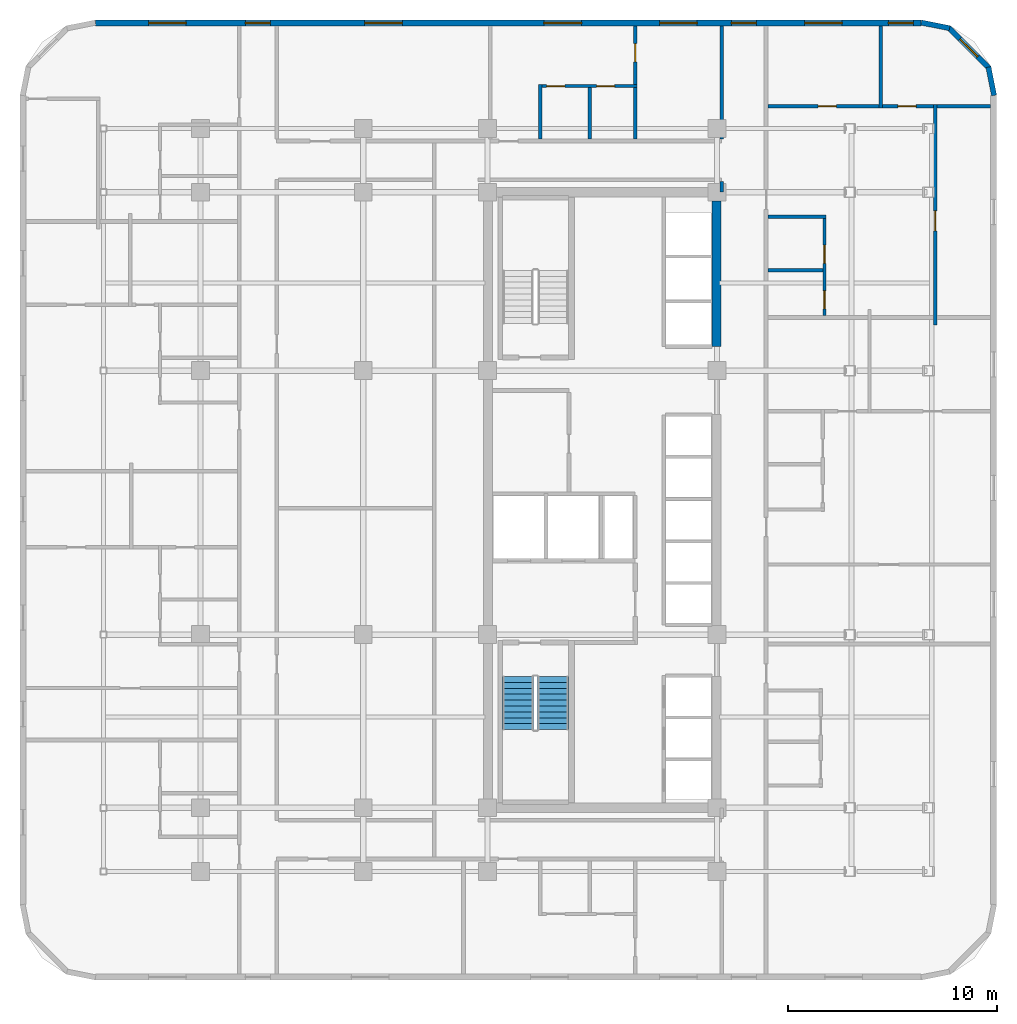
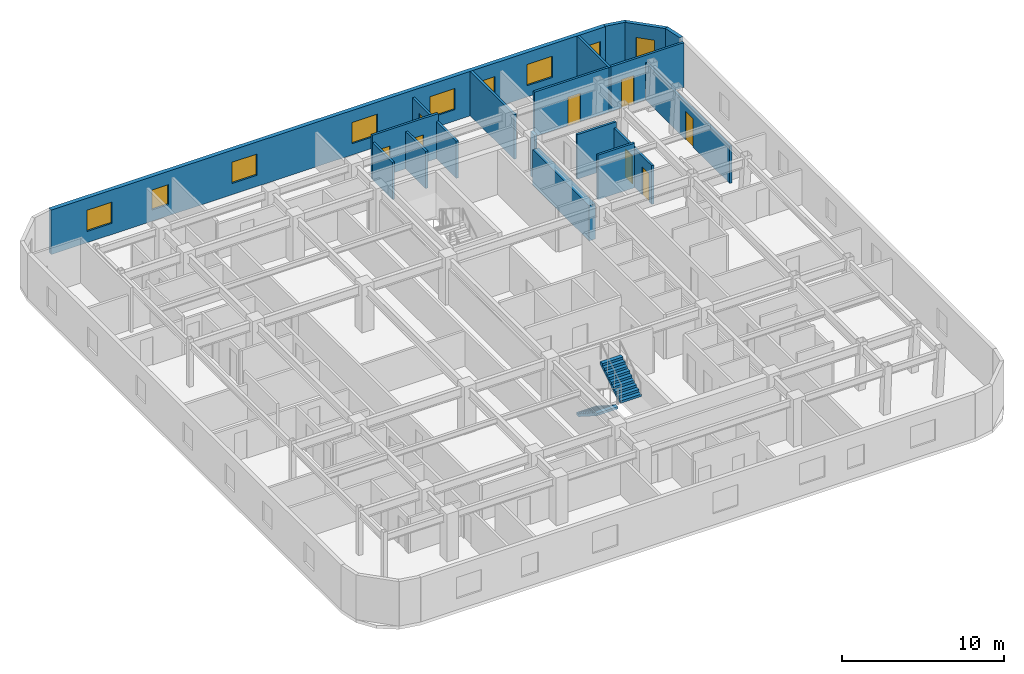
# One storey, part 10 of 12: 17 walls, 9 windows, 8 doors, 2 stair flights, 17 openings, 1 element without a shape of its own.
"""IFC4 building model written with IfcOpenShell, lengths in metres."""

from ifc_helpers import new_model, si_unit, direction, frame, frame_2d, origin, place, context, subcontext, project, spatial, polyline, rectangle, outline, extrude, material, layer, layer_set, type_object, element, fill, aggregate, save


model = new_model("IFC4")

# Units and contexts
model_context = context("Model", 3, precision=1e-05, world=origin(), true_north=direction((0.0, 1.0)))
body_context = subcontext(model_context, "Body", "Model", "MODEL_VIEW")
ifc_project = project(units=[si_unit("LENGTHUNIT", "METRE"), si_unit("AREAUNIT", "SQUARE_METRE"), si_unit("VOLUMEUNIT", "CUBIC_METRE"), si_unit("PLANEANGLEUNIT", "RADIAN"), si_unit("MASSUNIT", "GRAM", prefix="KILO")], contexts=[model_context])

# Site, building, storey
site_placement = place(None, origin())
site = spatial("IfcSite", under=ifc_project, at=site_placement, CompositionType="ELEMENT")
building_placement = place(site_placement, origin())
building = spatial("IfcBuilding", under=site, at=building_placement, Name="Ochreholt Gables", CompositionType="ELEMENT")
storey_placement = place(building_placement, frame((0.0, 0.0, 45.60009765625)))
storey = spatial("IfcBuildingStorey", under=building, at=storey_placement, Name="L11", CompositionType="ELEMENT", Elevation=45.60009765625)

# Wall
ifc_material_1 = material(Name="Concrete 60 MPa", Category="concrete")
ifc_layer_1 = layer(ifc_material_1, 0.449951171875, Name="Concrete 60 MPa")
ifc_layer_set_1 = layer_set([ifc_layer_1], Name="Concrete 60 MPa")
wall_type_1 = type_object("IfcWallType", Name="WALL-CSW-450", PredefinedType="SHEAR", material=ifc_layer_set_1)
wall_1_placement = place(storey_placement, frame((35.175048828125, 31.35009765625, 0.0), z_axis=(0.0, 0.0, 1.0), x_axis=(0.0, 1.0, 0.0)))
element("IfcWall", 1, at=wall_1_placement, inside=storey, type_object=wall_type_1, Name="L11 Core North-East Shear Wall", PredefinedType="SHEAR", context=body_context, shape_type="SweptSolid", body=[
    extrude(rectangle(XDim=6.974853515625, YDim=0.449951171875, at=frame_2d((3.4873046875, 0.0))), origin(), (0.0, 0.0, 1.0), 2.6669921875),
])

# Wall, openings, windows
ifc_material_2 = material(Name="Precast concrete 40 MPa", Category="concrete")
ifc_layer_2 = layer(ifc_material_2, 0.2900390625, Name="Precast concrete 40 MPa")
ifc_layer_set_2 = layer_set([ifc_layer_2], Name="Precast concrete 40 MPa")
wall_type_2 = type_object("IfcWallType", Name="WALL-EXT-290", PredefinedType="SOLIDWALL", material=ifc_layer_set_2)
wall_2_placement = place(storey_placement, frame((44.97998046875, 46.85498046875, 0.0), z_axis=(0.0, 0.0, 1.0), x_axis=(-1.0, 0.0, 0.0)))
wall_2 = element("IfcWall", 2, at=wall_2_placement, inside=storey, type_object=wall_type_2, Name="L11 North Exterior Wall", PredefinedType="SOLIDWALL", context=body_context, shape_type="SweptSolid", body=[
    extrude(rectangle(XDim=39.56005859375, YDim=0.2900390625, at=frame_2d((19.780029296875, 0.0))), origin(), (0.0, 0.0, 1.0), 3.35986328125),
])
opening_1_placement = place(wall_2_placement, frame((35.219970703125, 0.0, 0.85009765625)))
opening_1 = element("IfcOpeningElement", 3, at=opening_1_placement, cuts=wall_2, Name="Opening WN-1", PredefinedType="OPENING", context=body_context, shape_type="SweptSolid", body=[
    extrude(rectangle(XDim=1.800048828125, YDim=1.60009765625, at=frame_2d((0.89990234375, 0.800048828125))), frame((0.0, 0.155029296875, 0.0), z_axis=(0.0, -1.0, 0.0), x_axis=(1.0, 0.0, 0.0)), (0.0, 0.0, 1.0), 0.31005859375),
])
opening_2_placement = place(wall_2_placement, frame((31.179931640625, 0.0, 0.85009765625)))
opening_2 = element("IfcOpeningElement", 4, at=opening_2_placement, cuts=wall_2, Name="Opening WN-3", PredefinedType="OPENING", context=body_context, shape_type="SweptSolid", body=[
    extrude(rectangle(XDim=1.199951171875, YDim=1.5, at=frame_2d((0.60009765625, 0.75))), frame((0.0, 0.155029296875, 0.0), z_axis=(0.0, -1.0, 0.0), x_axis=(1.0, 0.0, 0.0)), (0.0, 0.0, 1.0), 0.31005859375),
])
opening_3_placement = place(wall_2_placement, frame((24.86328125, 0.0, 0.85009765625)))
opening_3 = element("IfcOpeningElement", 5, at=opening_3_placement, cuts=wall_2, Name="Opening WN-1", PredefinedType="OPENING", context=body_context, shape_type="SweptSolid", body=[
    extrude(rectangle(XDim=1.800048828125, YDim=1.60009765625, at=frame_2d((0.89990234375, 0.800048828125))), frame((0.0, 0.155029296875, 0.0), z_axis=(0.0, -1.0, 0.0), x_axis=(1.0, 0.0, 0.0)), (0.0, 0.0, 1.0), 0.31005859375),
])
opening_4_placement = place(wall_2_placement, frame((16.273193359375, 0.0, 0.85009765625)))
opening_4 = element("IfcOpeningElement", 6, at=opening_4_placement, cuts=wall_2, Name="Opening WN-1", PredefinedType="OPENING", context=body_context, shape_type="SweptSolid", body=[
    extrude(rectangle(XDim=1.800048828125, YDim=1.60009765625, at=frame_2d((0.89990234375, 0.800048828125))), frame((0.0, 0.155029296875, 0.0), z_axis=(0.0, -1.0, 0.0), x_axis=(1.0, 0.0, 0.0)), (0.0, 0.0, 1.0), 0.31005859375),
])
opening_5_placement = place(wall_2_placement, frame((10.72998046875, 0.0, 0.85009765625)))
opening_5 = element("IfcOpeningElement", 7, at=opening_5_placement, cuts=wall_2, Name="Opening WN-1", PredefinedType="OPENING", context=body_context, shape_type="SweptSolid", body=[
    extrude(rectangle(XDim=1.800048828125, YDim=1.60009765625, at=frame_2d((0.89990234375, 0.800048828125))), frame((0.0, 0.155029296875, 0.0), z_axis=(0.0, -1.0, 0.0), x_axis=(1.0, 0.0, 0.0)), (0.0, 0.0, 1.0), 0.31005859375),
])
opening_6_placement = place(wall_2_placement, frame((7.89501953125, 0.0, 0.85009765625)))
opening_6 = element("IfcOpeningElement", 8, at=opening_6_placement, cuts=wall_2, Name="Opening WN-3", PredefinedType="OPENING", context=body_context, shape_type="SweptSolid", body=[
    extrude(rectangle(XDim=1.199951171875, YDim=1.5, at=frame_2d((0.60009765625, 0.75))), frame((0.0, 0.155029296875, 0.0), z_axis=(0.0, -1.0, 0.0), x_axis=(1.0, 0.0, 0.0)), (0.0, 0.0, 1.0), 0.31005859375),
])
opening_7_placement = place(wall_2_placement, frame((3.782470703125, 0.0, 0.85009765625)))
opening_7 = element("IfcOpeningElement", 9, at=opening_7_placement, cuts=wall_2, Name="Opening WN-1", PredefinedType="OPENING", context=body_context, shape_type="SweptSolid", body=[
    extrude(rectangle(XDim=1.800048828125, YDim=1.60009765625, at=frame_2d((0.89990234375, 0.800048828125))), frame((0.0, 0.155029296875, 0.0), z_axis=(0.0, -1.0, 0.0), x_axis=(1.0, 0.0, 0.0)), (0.0, 0.0, 1.0), 0.31005859375),
])
opening_8_placement = place(wall_2_placement, frame((0.367431640625, 0.0, 0.85009765625)))
opening_8 = element("IfcOpeningElement", 10, at=opening_8_placement, cuts=wall_2, Name="Opening WN-3", PredefinedType="OPENING", context=body_context, shape_type="SweptSolid", body=[
    extrude(rectangle(XDim=1.199951171875, YDim=1.5, at=frame_2d((0.60009765625, 0.75))), frame((0.0, 0.155029296875, 0.0), z_axis=(0.0, -1.0, 0.0), x_axis=(1.0, 0.0, 0.0)), (0.0, 0.0, 1.0), 0.31005859375),
])
ifc_material_3 = material(Name="Triple-Glazed Thermally Broken Aluminium Window", Category="aluminium")
window_type_1 = type_object("IfcWindowType", Name="WIN-RES-1200", PartitioningType="SINGLE_PANEL", PredefinedType="WINDOW", material=ifc_material_3)
window_1_placement = place(opening_2_placement, origin())
window_1 = element("IfcWindow", 11, at=window_1_placement, inside=storey, type_object=window_type_1, Name="L11 Window W-EXT-N-L11-2", OverallHeight=1.5, OverallWidth=1.199951171875, PartitioningType="SINGLE_PANEL", PredefinedType="WINDOW", context=body_context, shape_type="SweptSolid", body=[
    extrude(rectangle(XDim=1.199951171875, YDim=1.5, at=frame_2d((0.60009765625, 0.75))), frame((0.0, 0.030029296875, 0.0), z_axis=(0.0, -1.0, 0.0), x_axis=(1.0, 0.0, 0.0)), (0.0, 0.0, 1.0), 0.06005859375),
])
fill(opening_2, window_1)
window_2_placement = place(opening_6_placement, origin())
window_2 = element("IfcWindow", 12, at=window_2_placement, inside=storey, type_object=window_type_1, Name="L11 Window W-EXT-N-L11-6", OverallHeight=1.5, OverallWidth=1.199951171875, PartitioningType="SINGLE_PANEL", PredefinedType="WINDOW", context=body_context, shape_type="SweptSolid", body=[
    extrude(rectangle(XDim=1.199951171875, YDim=1.5, at=frame_2d((0.60009765625, 0.75))), frame((0.0, 0.030029296875, 0.0), z_axis=(0.0, -1.0, 0.0), x_axis=(1.0, 0.0, 0.0)), (0.0, 0.0, 1.0), 0.06005859375),
])
fill(opening_6, window_2)
window_3_placement = place(opening_8_placement, origin())
window_3 = element("IfcWindow", 13, at=window_3_placement, inside=storey, type_object=window_type_1, Name="L11 Window W-EXT-N-L11-8", OverallHeight=1.5, OverallWidth=1.199951171875, PartitioningType="SINGLE_PANEL", PredefinedType="WINDOW", context=body_context, shape_type="SweptSolid", body=[
    extrude(rectangle(XDim=1.199951171875, YDim=1.5, at=frame_2d((0.60009765625, 0.75))), frame((0.0, 0.030029296875, 0.0), z_axis=(0.0, -1.0, 0.0), x_axis=(1.0, 0.0, 0.0)), (0.0, 0.0, 1.0), 0.06005859375),
])
fill(opening_8, window_3)
window_type_2 = type_object("IfcWindowType", Name="WIN-RES-1800", PartitioningType="SINGLE_PANEL", PredefinedType="WINDOW", material=ifc_material_3)
window_4_placement = place(opening_1_placement, origin())
window_4 = element("IfcWindow", 14, at=window_4_placement, inside=storey, type_object=window_type_2, Name="L11 Window W-EXT-N-L11-1", OverallHeight=1.60009765625, OverallWidth=1.800048828125, PartitioningType="SINGLE_PANEL", PredefinedType="WINDOW", context=body_context, shape_type="SweptSolid", body=[
    extrude(rectangle(XDim=1.800048828125, YDim=1.60009765625, at=frame_2d((0.89990234375, 0.800048828125))), frame((0.0, 0.030029296875, 0.0), z_axis=(0.0, -1.0, 0.0), x_axis=(1.0, 0.0, 0.0)), (0.0, 0.0, 1.0), 0.06005859375),
])
fill(opening_1, window_4)
window_5_placement = place(opening_3_placement, origin())
window_5 = element("IfcWindow", 15, at=window_5_placement, inside=storey, type_object=window_type_2, Name="L11 Window W-EXT-N-L11-3", OverallHeight=1.60009765625, OverallWidth=1.800048828125, PartitioningType="SINGLE_PANEL", PredefinedType="WINDOW", context=body_context, shape_type="SweptSolid", body=[
    extrude(rectangle(XDim=1.800048828125, YDim=1.60009765625, at=frame_2d((0.89990234375, 0.800048828125))), frame((0.0, 0.030029296875, 0.0), z_axis=(0.0, -1.0, 0.0), x_axis=(1.0, 0.0, 0.0)), (0.0, 0.0, 1.0), 0.06005859375),
])
fill(opening_3, window_5)
window_6_placement = place(opening_4_placement, origin())
window_6 = element("IfcWindow", 16, at=window_6_placement, inside=storey, type_object=window_type_2, Name="L11 Window W-EXT-N-L11-4", OverallHeight=1.60009765625, OverallWidth=1.800048828125, PartitioningType="SINGLE_PANEL", PredefinedType="WINDOW", context=body_context, shape_type="SweptSolid", body=[
    extrude(rectangle(XDim=1.800048828125, YDim=1.60009765625, at=frame_2d((0.89990234375, 0.800048828125))), frame((0.0, 0.030029296875, 0.0), z_axis=(0.0, -1.0, 0.0), x_axis=(1.0, 0.0, 0.0)), (0.0, 0.0, 1.0), 0.06005859375),
])
fill(opening_4, window_6)
window_7_placement = place(opening_5_placement, origin())
window_7 = element("IfcWindow", 17, at=window_7_placement, inside=storey, type_object=window_type_2, Name="L11 Window W-EXT-N-L11-5", OverallHeight=1.60009765625, OverallWidth=1.800048828125, PartitioningType="SINGLE_PANEL", PredefinedType="WINDOW", context=body_context, shape_type="SweptSolid", body=[
    extrude(rectangle(XDim=1.800048828125, YDim=1.60009765625, at=frame_2d((0.89990234375, 0.800048828125))), frame((0.0, 0.030029296875, 0.0), z_axis=(0.0, -1.0, 0.0), x_axis=(1.0, 0.0, 0.0)), (0.0, 0.0, 1.0), 0.06005859375),
])
fill(opening_5, window_7)
window_8_placement = place(opening_7_placement, origin())
window_8 = element("IfcWindow", 18, at=window_8_placement, inside=storey, type_object=window_type_2, Name="L11 Window W-EXT-N-L11-7", OverallHeight=1.60009765625, OverallWidth=1.800048828125, PartitioningType="SINGLE_PANEL", PredefinedType="WINDOW", context=body_context, shape_type="SweptSolid", body=[
    extrude(rectangle(XDim=1.800048828125, YDim=1.60009765625, at=frame_2d((0.89990234375, 0.800048828125))), frame((0.0, 0.030029296875, 0.0), z_axis=(0.0, -1.0, 0.0), x_axis=(1.0, 0.0, 0.0)), (0.0, 0.0, 1.0), 0.06005859375),
])
fill(opening_7, window_8)

# Wall
ifc_layer_3 = layer(ifc_material_2, 0.25, Name="Precast concrete 40 MPa")
ifc_layer_set_3 = layer_set([ifc_layer_3], Name="Precast concrete 40 MPa")
wall_type_3 = type_object("IfcWallType", Name="WALL-EXT-CNR", PredefinedType="SOLIDWALL", material=ifc_layer_set_3)
wall_3_placement = place(storey_placement, frame((48.475830078125, 43.383544921875, 0.0), z_axis=(0.0, 0.0, 1.0), x_axis=(-0.19496651342, 0.980809899341, 0.0)))
element("IfcWall", 19, at=wall_3_placement, inside=storey, type_object=wall_type_3, Name="L11 Rounded Corner Wall NE-1", PredefinedType="SOLIDWALL", context=body_context, shape_type="SweptSolid", body=[
    extrude(rectangle(XDim=1.388671875, YDim=0.25, at=frame_2d((0.6943359375, 0.0))), origin(), (0.0, 0.0, 1.0), 3.35986328125),
])

# Wall, opening, window
wall_4_placement = place(storey_placement, frame((48.23193359375, 44.695068359375, 0.0), z_axis=(0.0, 0.0, 1.0), x_axis=(-0.707106781187, 0.707106781187, 0.0)))
wall_4 = element("IfcWall", 20, at=wall_4_placement, inside=storey, type_object=wall_type_3, Name="L11 Rounded Corner Wall NE-2", PredefinedType="SOLIDWALL", context=body_context, shape_type="SweptSolid", body=[
    extrude(rectangle(XDim=2.7392578125, YDim=0.25, at=frame_2d((1.36962890625, 0.0))), origin(), (0.0, 0.0, 1.0), 3.35986328125),
])
opening_9_placement = place(wall_4_placement, frame((0.769775390625, 0.0, 0.85009765625)))
opening_9 = element("IfcOpeningElement", 21, at=opening_9_placement, cuts=wall_4, Name="Opening WN-3", PredefinedType="OPENING", context=body_context, shape_type="SweptSolid", body=[
    extrude(rectangle(XDim=1.199951171875, YDim=1.5, at=frame_2d((0.60009765625, 0.75))), frame((0.0, 0.135009765625, 0.0), z_axis=(0.0, -1.0, 0.0), x_axis=(1.0, 0.0, 0.0)), (0.0, 0.0, 1.0), 0.27001953125),
])
window_9_placement = place(opening_9_placement, origin())
window_9 = element("IfcWindow", 22, at=window_9_placement, inside=storey, type_object=window_type_1, Name="L11 Corner Bedroom Window NE", OverallHeight=1.5, OverallWidth=1.199951171875, PartitioningType="SINGLE_PANEL", PredefinedType="WINDOW", context=body_context, shape_type="SweptSolid", body=[
    extrude(rectangle(XDim=1.199951171875, YDim=1.5, at=frame_2d((0.60009765625, 0.75))), frame((0.0, 0.030029296875, 0.0), z_axis=(0.0, -1.0, 0.0), x_axis=(1.0, 0.0, 0.0)), (0.0, 0.0, 1.0), 0.06005859375),
])
fill(opening_9, window_9)

# Walls
wall_5_placement = place(storey_placement, frame((46.345458984375, 46.60498046875, 0.0), z_axis=(0.0, 0.0, 1.0), x_axis=(-0.980809899341, 0.19496651342, 0.0)))
element("IfcWall", 23, at=wall_5_placement, inside=storey, type_object=wall_type_3, Name="L11 Rounded Corner Wall NE-3", PredefinedType="SOLIDWALL", context=body_context, shape_type="SweptSolid", body=[
    extrude(rectangle(XDim=1.388671875, YDim=0.25, at=frame_2d((0.6943359375, 0.0))), origin(), (0.0, 0.0, 1.0), 3.35986328125),
])
ifc_material_4 = material(Name="Fire-Rated Gypsum Acoustic Partition", Category="gypsum")
ifc_layer_4 = layer(ifc_material_4, 0.179931640625, Name="Fire-Rated Gypsum Acoustic Partition")
ifc_layer_set_4 = layer_set([ifc_layer_4], Name="Fire-Rated Gypsum Acoustic Partition")
wall_type_4 = type_object("IfcWallType", Name="WALL-INT-CR180", PredefinedType="STANDARD", material=ifc_layer_set_4)
wall_6_placement = place(storey_placement, frame((35.419921875, 38.75, 0.0), z_axis=(0.0, 0.0, 1.0), x_axis=(0.0, 1.0, 0.0)))
element("IfcWall", 24, at=wall_6_placement, inside=storey, type_object=wall_type_4, Name="L11 Interior Wall WI-C1ENW2-L11", PredefinedType="STANDARD", context=body_context, shape_type="SweptSolid", body=[
    extrude(rectangle(XDim=0.510009765625, YDim=0.179931640625, at=frame_2d((0.2548828125, 0.0))), origin(), (0.0, 0.0, 1.0), 3.35986328125),
])
ifc_material_5 = material(Name="Double-Stud Acoustic Demising Wall", Category="gypsum")
ifc_layer_5 = layer(ifc_material_5, 0.179931640625, Name="Double-Stud Acoustic Demising Wall")
ifc_layer_set_5 = layer_set([ifc_layer_5], Name="Double-Stud Acoustic Demising Wall")
wall_type_5 = type_object("IfcWallType", Name="WALL-INT-DM180", PredefinedType="PARTITIONING", material=ifc_layer_set_5)
wall_7_placement = place(storey_placement, frame((35.419921875, 41.2900390625, 0.0), z_axis=(0.0, 0.0, 1.0), x_axis=(0.0, 1.0, 0.0)))
element("IfcWall", 25, at=wall_7_placement, inside=storey, type_object=wall_type_5, Name="L11 Interior Wall WI-C1ENW-L11", PredefinedType="PARTITIONING", context=body_context, shape_type="SweptSolid", body=[
    extrude(rectangle(XDim=5.419921875, YDim=0.179931640625, at=frame_2d((2.7099609375, 0.0))), origin(), (0.0, 0.0, 1.0), 3.35986328125),
])
ifc_material_6 = material(Name="Moisture-Resistant Plumbing Chase Wall", Category="gypsum")
ifc_layer_6 = layer(ifc_material_6, 0.159912109375, Name="Moisture-Resistant Plumbing Chase Wall")
ifc_layer_set_6 = layer_set([ifc_layer_6], Name="Moisture-Resistant Plumbing Chase Wall")
wall_type_6 = type_object("IfcWallType", Name="WALL-INT-PL160", PredefinedType="PLUMBINGWALL", material=ifc_layer_set_6)
wall_8_placement = place(storey_placement, frame((37.639892578125, 37.5654296875, 0.0), z_axis=(0.0, 0.0, 1.0), x_axis=(1.0, 0.0, 0.0)))
element("IfcWall", 26, at=wall_8_placement, inside=storey, type_object=wall_type_6, Name="L11 Interior Wall WU-L11E3-FYN", PredefinedType="PLUMBINGWALL", context=body_context, shape_type="SweptSolid", body=[
    extrude(rectangle(XDim=2.7880859375, YDim=0.159912109375, at=frame_2d((1.39404296875, 0.0))), origin(), (0.0, 0.0, 1.0), 3.35986328125),
])

# Wall, openings, doors
wall_9_placement = place(storey_placement, frame((40.347900390625, 32.830078125, 0.0), z_axis=(0.0, 0.0, 1.0), x_axis=(0.0, 1.0, 0.0)))
wall_9 = element("IfcWall", 27, at=wall_9_placement, inside=storey, type_object=wall_type_6, Name="L11 Interior Wall WU-L11E3-WX", PredefinedType="PLUMBINGWALL", context=body_context, shape_type="SweptSolid", body=[
    extrude(rectangle(XDim=4.825439453125, YDim=0.159912109375, at=frame_2d((2.41259765625, 0.0))), origin(), (0.0, 0.0, 1.0), 2.931884765625),
])
opening_10_placement = place(wall_9_placement, frame((0.330078125, 0.0, 0.0)))
opening_10 = element("IfcOpeningElement", 28, at=opening_10_placement, cuts=wall_9, Name="Opening D-BT1", PredefinedType="OPENING", context=body_context, shape_type="SweptSolid", body=[
    extrude(rectangle(XDim=0.860107421875, YDim=2.1201171875, at=frame_2d((0.43017578125, 1.06005859375))), frame((0.0, 0.08984375, 0.0), z_axis=(0.0, -1.0, 0.0), x_axis=(1.0, 0.0, 0.0)), (0.0, 0.0, 1.0), 0.179931640625),
])
opening_11_placement = place(wall_9_placement, frame((2.50830078125, 0.0, 0.0)))
opening_11 = element("IfcOpeningElement", 29, at=opening_11_placement, cuts=wall_9, Name="Opening D-GN2", PredefinedType="OPENING", context=body_context, shape_type="SweptSolid", body=[
    extrude(rectangle(XDim=0.8798828125, YDim=2.1201171875, at=frame_2d((0.43994140625, 1.06005859375))), frame((0.0, 0.08984375, 0.0), z_axis=(0.0, -1.0, 0.0), x_axis=(1.0, 0.0, 0.0)), (0.0, 0.0, 1.0), 0.179931640625),
])
ifc_material_7 = material(Name="Engineered Oak Timber", Category="wood")
door_type_1 = type_object("IfcDoorType", Name="DR-INT-BTH860", OperationType="NOTDEFINED", PredefinedType="DOOR", material=ifc_material_7)
door_1_placement = place(opening_10_placement, origin())
door_1 = element("IfcDoor", 30, at=door_1_placement, inside=storey, type_object=door_type_1, Name="L11 Door D-U-L11E3-BTH", OperationType="SINGLE_SWING_LEFT", OverallHeight=2.1201171875, OverallWidth=0.860107421875, PredefinedType="DOOR", context=body_context, shape_type="SweptSolid", body=[
    extrude(rectangle(XDim=0.860107421875, YDim=2.1201171875, at=frame_2d((0.43017578125, 1.06005859375))), frame((0.0, 0.02490234375, 0.0), z_axis=(0.0, -1.0, 0.0), x_axis=(1.0, 0.0, 0.0)), (0.0, 0.0, 1.0), 0.050048828125),
])
fill(opening_10, door_1)
door_type_2 = type_object("IfcDoorType", Name="DR-INT-GEN880", OperationType="NOTDEFINED", PredefinedType="DOOR", material=ifc_material_7)
door_2_placement = place(opening_11_placement, origin())
door_2 = element("IfcDoor", 31, at=door_2_placement, inside=storey, type_object=door_type_2, Name="L11 Door D-U-L11E3-KIT", OperationType="SINGLE_SWING_RIGHT", OverallHeight=2.1201171875, OverallWidth=0.8798828125, PredefinedType="DOOR", context=body_context, shape_type="SweptSolid", body=[
    extrude(rectangle(XDim=0.8798828125, YDim=2.1201171875, at=frame_2d((0.43994140625, 1.06005859375))), frame((0.0, 0.02490234375, 0.0), z_axis=(0.0, -1.0, 0.0), x_axis=(1.0, 0.0, 0.0)), (0.0, 0.0, 1.0), 0.050048828125),
])
fill(opening_11, door_2)

# Wall
wall_10_placement = place(storey_placement, frame((37.639892578125, 35.00830078125, 0.0), z_axis=(0.0, 0.0, 1.0), x_axis=(1.0, 0.0, 0.0)))
element("IfcWall", 32, at=wall_10_placement, inside=storey, type_object=wall_type_6, Name="L11 Interior Wall WU-L11E3-WK", PredefinedType="PLUMBINGWALL", context=body_context, shape_type="SweptSolid", body=[
    extrude(rectangle(XDim=2.628173828125, YDim=0.159912109375, at=frame_2d((1.31396484375, 0.0))), origin(), (0.0, 0.0, 1.0), 3.35986328125),
])

# Wall, openings, doors
wall_11_placement = place(storey_placement, frame((26.64990234375, 43.8349609375, 0.0), z_axis=(0.0, 0.0, 1.0), x_axis=(1.0, 0.0, 0.0)))
wall_11 = element("IfcWall", 33, at=wall_11_placement, inside=storey, type_object=wall_type_6, Name="L11 Interior Wall WU-L11N1-WY", PredefinedType="PLUMBINGWALL", context=body_context, shape_type="SweptSolid", body=[
    extrude(rectangle(XDim=4.710205078125, YDim=0.159912109375, at=frame_2d((2.35498046875, 0.0))), origin(), (0.0, 0.0, 1.0), 3.35986328125),
])
opening_12_placement = place(wall_11_placement, frame((0.3798828125, 0.0, 0.0)))
opening_12 = element("IfcOpeningElement", 34, at=opening_12_placement, cuts=wall_11, Name="Opening D-GN2", PredefinedType="OPENING", context=body_context, shape_type="SweptSolid", body=[
    extrude(rectangle(XDim=0.8798828125, YDim=2.1201171875, at=frame_2d((0.43994140625, 1.06005859375))), frame((0.0, 0.08984375, 0.0), z_axis=(0.0, -1.0, 0.0), x_axis=(1.0, 0.0, 0.0)), (0.0, 0.0, 1.0), 0.179931640625),
])
opening_13_placement = place(wall_11_placement, frame((2.785888671875, 0.0, 0.0)))
opening_13 = element("IfcOpeningElement", 35, at=opening_13_placement, cuts=wall_11, Name="Opening D-BT1", PredefinedType="OPENING", context=body_context, shape_type="SweptSolid", body=[
    extrude(rectangle(XDim=0.860107421875, YDim=2.1201171875, at=frame_2d((0.43017578125, 1.06005859375))), frame((0.0, 0.08984375, 0.0), z_axis=(0.0, -1.0, 0.0), x_axis=(1.0, 0.0, 0.0)), (0.0, 0.0, 1.0), 0.179931640625),
])
door_3_placement = place(opening_13_placement, origin())
door_3 = element("IfcDoor", 36, at=door_3_placement, inside=storey, type_object=door_type_1, Name="L11 Door D-U-L11N1-BTH", OperationType="SINGLE_SWING_RIGHT", OverallHeight=2.1201171875, OverallWidth=0.860107421875, PredefinedType="DOOR", context=body_context, shape_type="SweptSolid", body=[
    extrude(rectangle(XDim=0.860107421875, YDim=2.1201171875, at=frame_2d((0.43017578125, 1.06005859375))), frame((0.0, 0.02490234375, 0.0), z_axis=(0.0, -1.0, 0.0), x_axis=(1.0, 0.0, 0.0)), (0.0, 0.0, 1.0), 0.050048828125),
])
fill(opening_13, door_3)
door_4_placement = place(opening_12_placement, origin())
door_4 = element("IfcDoor", 37, at=door_4_placement, inside=storey, type_object=door_type_2, Name="L11 Door D-U-L11N1-KIT", OperationType="SINGLE_SWING_LEFT", OverallHeight=2.1201171875, OverallWidth=0.8798828125, PredefinedType="DOOR", context=body_context, shape_type="SweptSolid", body=[
    extrude(rectangle(XDim=0.8798828125, YDim=2.1201171875, at=frame_2d((0.43994140625, 1.06005859375))), frame((0.0, 0.02490234375, 0.0), z_axis=(0.0, -1.0, 0.0), x_axis=(1.0, 0.0, 0.0)), (0.0, 0.0, 1.0), 0.050048828125),
])
fill(opening_12, door_4)

# Walls
wall_12_placement = place(storey_placement, frame((26.72998046875, 41.2900390625, 0.0), z_axis=(0.0, 0.0, 1.0), x_axis=(0.0, 1.0, 0.0)))
element("IfcWall", 38, at=wall_12_placement, inside=storey, type_object=wall_type_6, Name="L11 Interior Wall WU-L11N1-FY", PredefinedType="PLUMBINGWALL", context=body_context, shape_type="SweptSolid", body=[
    extrude(rectangle(XDim=2.625, YDim=0.159912109375, at=frame_2d((1.3125, 0.0))), origin(), (0.0, 0.0, 1.0), 2.808837890625),
])
wall_13_placement = place(storey_placement, frame((29.095947265625, 41.2900390625, 0.0), z_axis=(0.0, 0.0, 1.0), x_axis=(0.0, 1.0, 0.0)))
element("IfcWall", 39, at=wall_13_placement, inside=storey, type_object=wall_type_6, Name="L11 Interior Wall WU-L11N1-WK", PredefinedType="PLUMBINGWALL", context=body_context, shape_type="SweptSolid", body=[
    extrude(rectangle(XDim=2.46484375, YDim=0.159912109375, at=frame_2d((1.232421875, 0.0))), origin(), (0.0, 0.0, 1.0), 2.808837890625),
])

# Wall, openings, doors
ifc_material_8 = material(Name="Gypsum Acoustic Stud Partition", Category="gypsum")
ifc_layer_7 = layer(ifc_material_8, 0.159912109375, Name="Gypsum Acoustic Stud Partition")
ifc_layer_set_7 = layer_set([ifc_layer_7], Name="Gypsum Acoustic Stud Partition")
wall_type_7 = type_object("IfcWallType", Name="WALL-INT-PT160", PredefinedType="PARTITIONING", material=ifc_layer_set_7)
wall_14_placement = place(storey_placement, frame((37.639892578125, 42.860107421875, 0.0), z_axis=(0.0, 0.0, 1.0), x_axis=(1.0, 0.0, 0.0)))
wall_14 = element("IfcWall", 40, at=wall_14_placement, inside=storey, type_object=wall_type_7, Name="L11 Interior Wall WU-L11E3-MN", PredefinedType="PARTITIONING", context=body_context, shape_type="SweptSolid", body=[
    extrude(rectangle(XDim=10.670166015625, YDim=0.159912109375, at=frame_2d((5.3349609375, 0.0))), origin(), (0.0, 0.0, 1.0), 3.35986328125),
])
opening_14_placement = place(wall_14_placement, frame((2.401611328125, 0.0, 0.0)))
opening_14 = element("IfcOpeningElement", 41, at=opening_14_placement, cuts=wall_14, Name="Opening D-BD2", PredefinedType="OPENING", context=body_context, shape_type="SweptSolid", body=[
    extrude(rectangle(XDim=0.8798828125, YDim=2.139892578125, at=frame_2d((0.43994140625, 1.06982421875))), frame((0.0, 0.08984375, 0.0), z_axis=(0.0, -1.0, 0.0), x_axis=(1.0, 0.0, 0.0)), (0.0, 0.0, 1.0), 0.179931640625),
])
opening_15_placement = place(wall_14_placement, frame((6.222412109375, 0.0, 0.0)))
opening_15 = element("IfcOpeningElement", 42, at=opening_15_placement, cuts=wall_14, Name="Opening D-BD2", PredefinedType="OPENING", context=body_context, shape_type="SweptSolid", body=[
    extrude(rectangle(XDim=0.8798828125, YDim=2.139892578125, at=frame_2d((0.43994140625, 1.06982421875))), frame((0.0, 0.08984375, 0.0), z_axis=(0.0, -1.0, 0.0), x_axis=(1.0, 0.0, 0.0)), (0.0, 0.0, 1.0), 0.179931640625),
])
door_type_3 = type_object("IfcDoorType", Name="DR-INT-BED880", OperationType="NOTDEFINED", PredefinedType="DOOR", material=ifc_material_7)
door_5_placement = place(opening_14_placement, origin())
door_5 = element("IfcDoor", 43, at=door_5_placement, inside=storey, type_object=door_type_3, Name="L11 Door D-U-L11E3-BD1", OperationType="SINGLE_SWING_RIGHT", OverallHeight=2.139892578125, OverallWidth=0.8798828125, PredefinedType="DOOR", context=body_context, shape_type="SweptSolid", body=[
    extrude(rectangle(XDim=0.8798828125, YDim=2.139892578125, at=frame_2d((0.43994140625, 1.06982421875))), frame((0.0, 0.02490234375, 0.0), z_axis=(0.0, -1.0, 0.0), x_axis=(1.0, 0.0, 0.0)), (0.0, 0.0, 1.0), 0.050048828125),
])
fill(opening_14, door_5)
door_6_placement = place(opening_15_placement, origin())
door_6 = element("IfcDoor", 44, at=door_6_placement, inside=storey, type_object=door_type_3, Name="L11 Door D-U-L11E3-BD2", OperationType="SINGLE_SWING_LEFT", OverallHeight=2.139892578125, OverallWidth=0.8798828125, PredefinedType="DOOR", context=body_context, shape_type="SweptSolid", body=[
    extrude(rectangle(XDim=0.8798828125, YDim=2.139892578125, at=frame_2d((0.43994140625, 1.06982421875))), frame((0.0, 0.02490234375, 0.0), z_axis=(0.0, -1.0, 0.0), x_axis=(1.0, 0.0, 0.0)), (0.0, 0.0, 1.0), 0.050048828125),
])
fill(opening_15, door_6)

# Wall, opening, door
wall_15_placement = place(storey_placement, frame((45.64990234375, 32.3798828125, 0.0), z_axis=(0.0, 0.0, 1.0), x_axis=(0.0, 1.0, 0.0)))
wall_15 = element("IfcWall", 45, at=wall_15_placement, inside=storey, type_object=wall_type_7, Name="L11 Interior Wall WU-L11E3-DNV", PredefinedType="PARTITIONING", context=body_context, shape_type="SweptSolid", body=[
    extrude(rectangle(XDim=10.56005859375, YDim=0.159912109375, at=frame_2d((5.280029296875, 0.0))), origin(), (0.0, 0.0, 1.0), 2.808837890625),
])
opening_16_placement = place(wall_15_placement, frame((4.52001953125, 0.0, 0.0)))
opening_16 = element("IfcOpeningElement", 46, at=opening_16_placement, cuts=wall_15, Name="Opening D-GN1", PredefinedType="OPENING", context=body_context, shape_type="SweptSolid", body=[
    extrude(rectangle(XDim=0.949951171875, YDim=2.14990234375, at=frame_2d((0.47509765625, 1.074951171875))), frame((0.0, 0.08984375, 0.0), z_axis=(0.0, -1.0, 0.0), x_axis=(1.0, 0.0, 0.0)), (0.0, 0.0, 1.0), 0.179931640625),
])
door_type_4 = type_object("IfcDoorType", Name="DR-INT-GEN950", OperationType="NOTDEFINED", PredefinedType="DOOR", material=ifc_material_7)
door_7_placement = place(opening_16_placement, origin())
door_7 = element("IfcDoor", 47, at=door_7_placement, inside=storey, type_object=door_type_4, Name="L11 Door D-U-L11E3-DIN", OperationType="SINGLE_SWING_LEFT", OverallHeight=2.14990234375, OverallWidth=0.949951171875, PredefinedType="DOOR", context=body_context, shape_type="SweptSolid", body=[
    extrude(rectangle(XDim=0.949951171875, YDim=2.14990234375, at=frame_2d((0.47509765625, 1.074951171875))), frame((0.0, 0.02490234375, 0.0), z_axis=(0.0, -1.0, 0.0), x_axis=(1.0, 0.0, 0.0)), (0.0, 0.0, 1.0), 0.050048828125),
])
fill(opening_16, door_7)

# Wall
wall_16_placement = place(storey_placement, frame((43.044921875, 42.780029296875, 0.0), z_axis=(0.0, 0.0, 1.0), x_axis=(0.0, 1.0, 0.0)))
element("IfcWall", 48, at=wall_16_placement, inside=storey, type_object=wall_type_7, Name="L11 Interior Wall WU-L11E3-BSD", PredefinedType="PARTITIONING", context=body_context, shape_type="SweptSolid", body=[
    extrude(rectangle(XDim=3.929931640625, YDim=0.159912109375, at=frame_2d((1.96484375, 0.0))), origin(), (0.0, 0.0, 1.0), 3.35986328125),
])

# Wall, opening, door
wall_17_placement = place(storey_placement, frame((31.280029296875, 41.2900390625, 0.0), z_axis=(0.0, 0.0, 1.0), x_axis=(0.0, 1.0, 0.0)))
wall_17 = element("IfcWall", 49, at=wall_17_placement, inside=storey, type_object=wall_type_7, Name="L11 Interior Wall WU-L11N1-MNX", PredefinedType="PARTITIONING", context=body_context, shape_type="SweptSolid", body=[
    extrude(rectangle(XDim=5.419921875, YDim=0.159912109375, at=frame_2d((2.7099609375, 0.0))), origin(), (0.0, 0.0, 1.0), 2.808837890625),
])
opening_17_placement = place(wall_17_placement, frame((3.702392578125, 0.0, 0.0)))
opening_17 = element("IfcOpeningElement", 50, at=opening_17_placement, cuts=wall_17, Name="Opening D-BD2", PredefinedType="OPENING", context=body_context, shape_type="SweptSolid", body=[
    extrude(rectangle(XDim=0.8798828125, YDim=2.139892578125, at=frame_2d((0.43994140625, 1.06982421875))), frame((0.0, 0.08984375, 0.0), z_axis=(0.0, -1.0, 0.0), x_axis=(1.0, 0.0, 0.0)), (0.0, 0.0, 1.0), 0.179931640625),
])
door_8_placement = place(opening_17_placement, origin())
door_8 = element("IfcDoor", 51, at=door_8_placement, inside=storey, type_object=door_type_3, Name="L11 Door D-U-L11N1-BD1", OperationType="SINGLE_SWING_LEFT", OverallHeight=2.139892578125, OverallWidth=0.8798828125, PredefinedType="DOOR", context=body_context, shape_type="SweptSolid", body=[
    extrude(rectangle(XDim=0.8798828125, YDim=2.139892578125, at=frame_2d((0.43994140625, 1.06982421875))), frame((0.0, 0.02490234375, 0.0), z_axis=(0.0, -1.0, 0.0), x_axis=(1.0, 0.0, 0.0)), (0.0, 0.0, 1.0), 0.050048828125),
])
fill(opening_17, door_8)

# Stair, stair flights
ifc_material_9 = material(Name="Concrete 40 MPa", Category="concrete")
stair_type = type_object("IfcStairType", Name="STAIR-CORE-ST-1", PredefinedType="HALF_TURN_STAIR", material=ifc_material_9)
stair_placement = place(storey_placement, origin())
stair = element("IfcStair", 52, at=stair_placement, inside=storey, type_object=stair_type, Name="L11 Core Exit Stair 1", PredefinedType="HALF_TURN_STAIR")
stair_flight_type = type_object("IfcStairFlightType", Name="FLIGHT-ST-1480-1800", PredefinedType="STRAIGHT", material=ifc_material_9)
stair_flight_1_placement = place(storey_placement, frame((25.659912109375, 15.5400390625, 0.0), z_axis=(0.0, 0.0, 1.0), x_axis=(0.0, -1.0, 0.0)))
stair_flight_1 = element("IfcStairFlight", 53, at=stair_flight_1_placement, type_object=stair_flight_type, Name="ST-1 flight 1", NumberOfRisers=10, NumberOfTreads=9, PredefinedType="STRAIGHT", RiserHeight=0.18, TreadLength=0.282, context=body_context, shape_type="SweptSolid", body=[
    extrude(outline(polyline([(0.0, 0.0), (0.0, 0.179931640625), (0.281982421875, 0.179931640625), (0.281982421875, 0.360107421875), (0.56396484375, 0.360107421875), (0.56396484375, 0.5400390625), (0.845947265625, 0.5400390625), (0.845947265625, 0.719970703125), (1.1279296875, 0.719970703125), (1.1279296875, 0.89990234375), (1.409912109375, 0.89990234375), (1.409912109375, 1.080078125), (1.69189453125, 1.080078125), (1.69189453125, 1.260009765625), (1.97412109375, 1.260009765625), (1.97412109375, 1.43994140625), (2.256103515625, 1.43994140625), (2.256103515625, 1.6201171875), (2.5380859375, 1.6201171875), (2.5380859375, 1.800048828125), (2.5380859375, 1.442138671875), (0.278564453125, 0.0), (0.0, 0.0)])), frame((0.0, 0.739990234375, 0.0), z_axis=(0.0, -1.0, 0.0), x_axis=(1.0, 0.0, 0.0)), (0.0, 0.0, 1.0), 1.47998046875),
])
stair_flight_2_placement = place(storey_placement, frame((27.340087890625, 13.001953125, 1.7998046875), z_axis=(0.0, 0.0, 1.0), x_axis=(0.0, 1.0, 0.0)))
stair_flight_2 = element("IfcStairFlight", 54, at=stair_flight_2_placement, type_object=stair_flight_type, Name="ST-1 flight 2", NumberOfRisers=10, NumberOfTreads=9, PredefinedType="STRAIGHT", RiserHeight=0.18, TreadLength=0.282, context=body_context, shape_type="SweptSolid", body=[
    extrude(outline(polyline([(0.0, 0.0), (0.0, 0.179931640625), (0.281982421875, 0.179931640625), (0.281982421875, 0.360107421875), (0.56396484375, 0.360107421875), (0.56396484375, 0.5400390625), (0.845947265625, 0.5400390625), (0.845947265625, 0.719970703125), (1.1279296875, 0.719970703125), (1.1279296875, 0.89990234375), (1.409912109375, 0.89990234375), (1.409912109375, 1.080078125), (1.69189453125, 1.080078125), (1.69189453125, 1.260009765625), (1.97412109375, 1.260009765625), (1.97412109375, 1.43994140625), (2.256103515625, 1.43994140625), (2.256103515625, 1.6201171875), (2.5380859375, 1.6201171875), (2.5380859375, 1.800048828125), (2.5380859375, 1.442138671875), (0.278564453125, 0.0), (0.0, 0.0)])), frame((0.0, 0.739990234375, 0.0), z_axis=(0.0, -1.0, 0.0), x_axis=(1.0, 0.0, 0.0)), (0.0, 0.0, 1.0), 1.47998046875),
])
aggregate(stair, [stair_flight_1, stair_flight_2])

save(model, "model.ifc")
